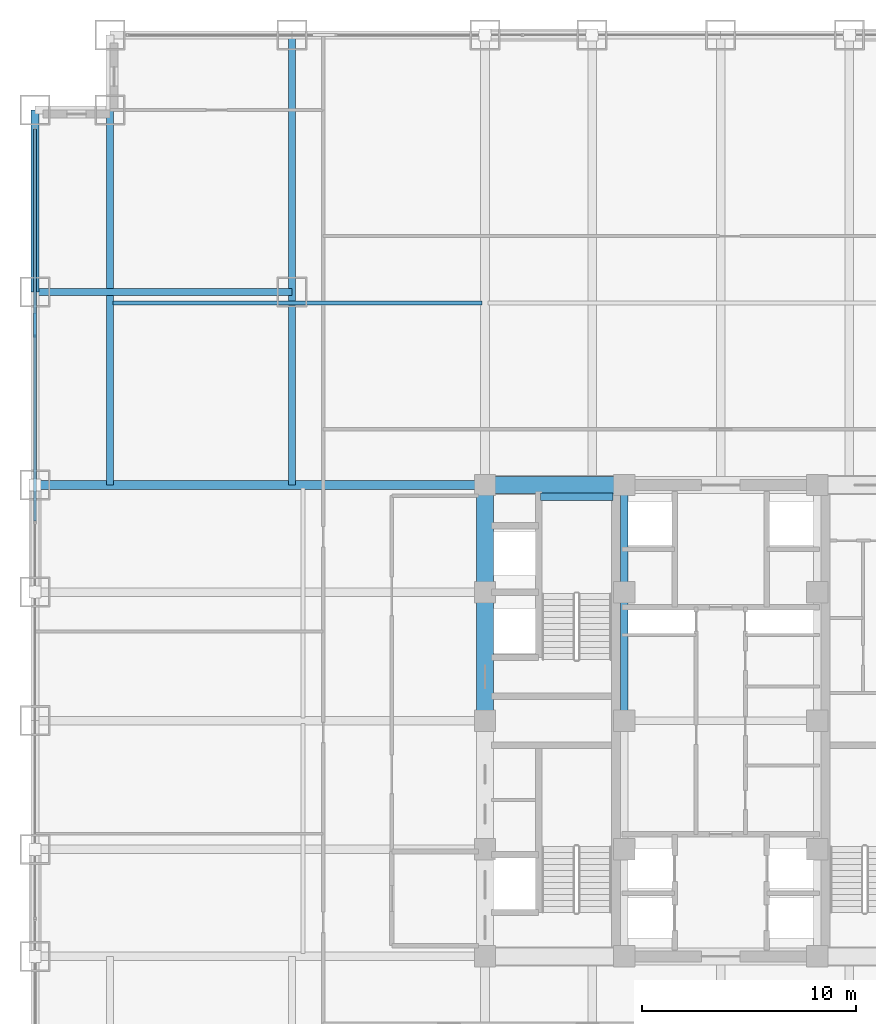
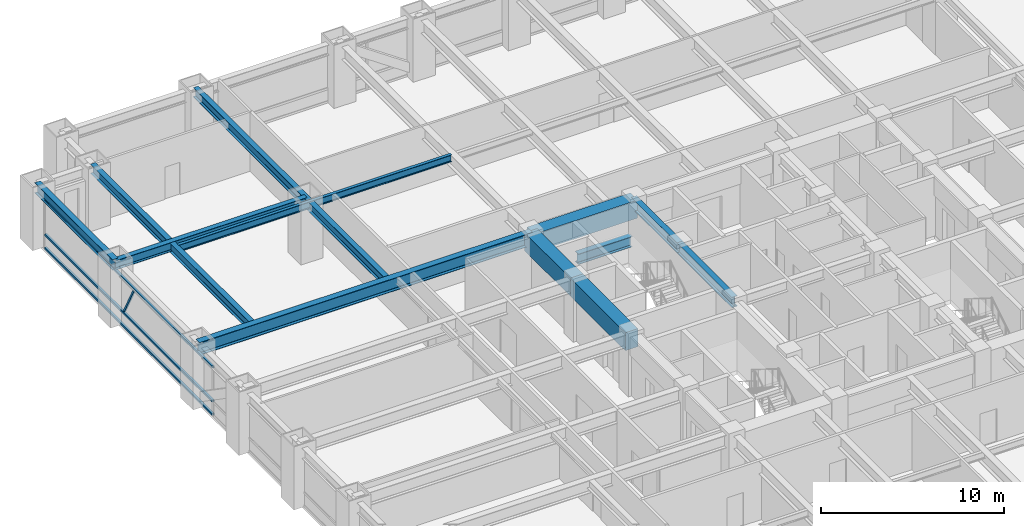
# One storey, part 13 of 27: 12 beams, 4 members, 1 element without a shape of its own.
"""IFC4 building model written with IfcOpenShell, lengths in metres."""

from ifc_helpers import new_model, si_unit, direction, frame, origin, origin_2d, place, context, subcontext, project, spatial, rectangle, hollow_rectangle, i_section, extrude, source, transform, mapped, material, material_profile, profile_set, type_object, element, aggregate, save


model = new_model("IFC4")

# Units and contexts
model_context = context("Model", 3, precision=1e-05, world=origin(), true_north=direction((0.0, 1.0)))
body_context = subcontext(model_context, "Body", "Model", "MODEL_VIEW")
ifc_project = project(units=[si_unit("LENGTHUNIT", "METRE"), si_unit("AREAUNIT", "SQUARE_METRE"), si_unit("VOLUMEUNIT", "CUBIC_METRE"), si_unit("PLANEANGLEUNIT", "RADIAN"), si_unit("MASSUNIT", "GRAM", prefix="KILO")], contexts=[model_context])

# Site, building, storey
site_placement = place(None, origin())
site = spatial("IfcSite", under=ifc_project, at=site_placement, CompositionType="ELEMENT")
building_placement = place(site_placement, origin())
building = spatial("IfcBuilding", under=site, at=building_placement, Name="Khorayat Bourse Tower", CompositionType="ELEMENT")
storey_placement = place(building_placement, frame((0.0, 0.0, 53.60009765625)))
storey = spatial("IfcBuildingStorey", under=building, at=storey_placement, Name="L11", CompositionType="ELEMENT", Elevation=53.60009765625)

# Beams
ifc_material_1 = material(Name="Concrete C72/90", Category="concrete")
ifc_material_profile_1 = material_profile(ifc_material_1, rectangle(XDim=0.800048828125, YDim=1.199951171875, at=origin_2d()), Name="RC 800x1200")
ifc_profile_set_1 = profile_set([ifc_material_profile_1], Name="Concrete C72/90")
beam_type_1 = type_object("IfcBeamType", Name="BM-COUP-1200", PredefinedType="BEAM", material=ifc_profile_set_1)
shared_shape_1 = source(origin(), body_context, "Body", "SweptSolid", [
    extrude(rectangle(XDim=0.800048828125, YDim=1.199951171875, at=origin_2d()), origin(), (0.0, 0.0, 1.0), 5.0),
])
beam_1_placement = place(storey_placement, frame((-11.0, 6.0, 3.33984375), z_axis=(0.0, 1.0, 0.0), x_axis=(-1.0, 0.0, 0.0)))
element("IfcBeam", 1, at=beam_1_placement, inside=storey, type_object=beam_type_1, Name="L11 BM-COUP-1200 BM-L11-CRX-04", PredefinedType="BEAM", context=body_context, shape_type="MappedRepresentation", body=[
    mapped(shared_shape_1, transform((0.0, 0.0, 0.0), scale=1.0)),
])
shared_shape_2 = source(origin(), body_context, "Body", "SweptSolid", [
    extrude(rectangle(XDim=0.800048828125, YDim=1.199951171875, at=origin_2d()), origin(), (0.0, 0.0, 1.0), 6.0),
])
beam_2_placement = place(storey_placement, frame((-11.0, 0.0, 3.33984375), z_axis=(0.0, 1.0, 0.0), x_axis=(-1.0, 0.0, 0.0)))
element("IfcBeam", 2, at=beam_2_placement, inside=storey, type_object=beam_type_1, Name="L11 BM-COUP-1200 BM-L11-CRX-03", PredefinedType="BEAM", context=body_context, shape_type="MappedRepresentation", body=[
    mapped(shared_shape_2, transform((0.0, 0.0, 0.0), scale=1.0)),
])
ifc_material_2 = material(Name="Steel ASTM A992 Grade 50", Category="steel")
ifc_material_profile_2 = material_profile(ifc_material_2, i_section(OverallWidth=0.35498046875, OverallDepth=0.695068359375, WebThickness=0.015380859375, FlangeThickness=0.02490234375, FilletRadius=0.01806640625, at=origin_2d()), Name="W690X217")
ifc_profile_set_2 = profile_set([ifc_material_profile_2], Name="Steel ASTM A992 Grade 50")
beam_type_2 = type_object("IfcBeamType", Name="BM-GIRD-690", PredefinedType="BEAM", material=ifc_profile_set_2)
shared_shape_3 = source(origin(), body_context, "Body", "SweptSolid", [
    extrude(i_section(OverallWidth=0.35498046875, OverallDepth=0.695068359375, WebThickness=0.015380859375, FlangeThickness=0.02490234375, FilletRadius=0.01806640625, at=origin_2d()), origin(), (0.0, 0.0, 1.0), 5.0),
])
beam_3_placement = place(storey_placement, frame((-4.5, 6.0, 3.59228515625), z_axis=(0.0, 1.0, 0.0), x_axis=(-1.0, 0.0, 0.0)))
element("IfcBeam", 3, at=beam_3_placement, inside=storey, type_object=beam_type_2, Name="L11 BM-GIRD-690 BM-L11-CRX-08", PredefinedType="BEAM", context=body_context, shape_type="MappedRepresentation", body=[
    mapped(shared_shape_3, transform((0.0, 0.0, 0.0), scale=1.0)),
])
shared_shape_4 = source(origin(), body_context, "Body", "SweptSolid", [
    extrude(i_section(OverallWidth=0.35498046875, OverallDepth=0.695068359375, WebThickness=0.015380859375, FlangeThickness=0.02490234375, FilletRadius=0.01806640625, at=origin_2d()), origin(), (0.0, 0.0, 1.0), 6.0),
])
beam_4_placement = place(storey_placement, frame((-4.5, 0.0, 3.59228515625), z_axis=(0.0, 1.0, 0.0), x_axis=(-1.0, 0.0, 0.0)))
element("IfcBeam", 4, at=beam_4_placement, inside=storey, type_object=beam_type_2, Name="L11 BM-GIRD-690 BM-L11-CRX-07", PredefinedType="BEAM", context=body_context, shape_type="MappedRepresentation", body=[
    mapped(shared_shape_4, transform((0.0, 0.0, 0.0), scale=1.0)),
])
shared_shape_5 = source(origin(), body_context, "Body", "SweptSolid", [
    extrude(rectangle(XDim=0.800048828125, YDim=1.199951171875, at=origin_2d()), origin(), (0.0, 0.0, 1.0), 6.5),
])
beam_5_placement = place(storey_placement, frame((-11.0, 11.0, 3.33984375), z_axis=(1.0, 0.0, 0.0), x_axis=(0.0, 1.0, 0.0)))
element("IfcBeam", 5, at=beam_5_placement, inside=storey, type_object=beam_type_1, Name="L11 BM-COUP-1200 BM-L11-CRY-20", PredefinedType="BEAM", context=body_context, shape_type="MappedRepresentation", body=[
    mapped(shared_shape_5, transform((0.0, 0.0, 0.0), scale=1.0)),
])
shared_shape_6 = source(origin(), body_context, "Body", "SweptSolid", [
    extrude(i_section(OverallWidth=0.35498046875, OverallDepth=0.695068359375, WebThickness=0.015380859375, FlangeThickness=0.02490234375, FilletRadius=0.01806640625, at=origin_2d()), origin(), (0.0, 0.0, 1.0), 3.39990234375),
])
beam_6_placement = place(storey_placement, frame((-8.419921875, 10.449951171875, 1.552490234375), z_axis=(1.0, 0.0, 0.0), x_axis=(0.0, 1.0, 0.0)))
element("IfcBeam", 6, at=beam_6_placement, inside=storey, type_object=beam_type_2, Name="L11 BM-GIRD-690 BM-L11-ST2L", PredefinedType="BEAM", context=body_context, shape_type="MappedRepresentation", body=[
    mapped(shared_shape_6, transform((0.0, 0.0, 0.0), scale=1.0)),
])
ifc_material_profile_3 = material_profile(ifc_material_2, i_section(OverallWidth=0.35498046875, OverallDepth=0.695068359375, WebThickness=0.015380859375, FlangeThickness=0.02490234375, FilletRadius=0.01806640625, at=origin_2d()), Name="W690X217")
ifc_profile_set_3 = profile_set([ifc_material_profile_3], Name="Steel ASTM A992 Grade 50")
beam_type_3 = type_object("IfcBeamType", Name="BM-SPAN-690", PredefinedType="SPANDREL", material=ifc_profile_set_3)
shared_shape_7 = source(origin(), body_context, "Body", "SweptSolid", [
    extrude(i_section(OverallWidth=0.35498046875, OverallDepth=0.695068359375, WebThickness=0.015380859375, FlangeThickness=0.02490234375, FilletRadius=0.01806640625, at=origin_2d()), origin(), (0.0, 0.0, 1.0), 8.5),
])
beam_7_placement = place(storey_placement, frame((-32.0, 20.0, 3.59228515625), z_axis=(0.0, 1.0, 0.0), x_axis=(-1.0, 0.0, 0.0)))
element("IfcBeam", 7, at=beam_7_placement, inside=storey, type_object=beam_type_3, Name="L11 BM-SPAN-690 BM-L11-SPN-054", PredefinedType="SPANDREL", context=body_context, shape_type="MappedRepresentation", body=[
    mapped(shared_shape_7, transform((0.0, 0.0, 0.0), scale=1.0)),
])
ifc_material_profile_4 = material_profile(ifc_material_2, i_section(OverallWidth=0.39990234375, OverallDepth=0.85498046875, WebThickness=0.018310546875, FlangeThickness=0.029296875, FilletRadius=0.02001953125, at=origin_2d()), Name="W840X299")
ifc_profile_set_4 = profile_set([ifc_material_profile_4], Name="Steel ASTM A992 Grade 50")
beam_type_4 = type_object("IfcBeamType", Name="BM-GIRD-840", PredefinedType="BEAM", material=ifc_profile_set_4)
shared_shape_8 = source(origin(), body_context, "Body", "SweptSolid", [
    extrude(i_section(OverallWidth=0.39990234375, OverallDepth=0.85498046875, WebThickness=0.018310546875, FlangeThickness=0.029296875, FilletRadius=0.02001953125, at=origin_2d()), origin(), (0.0, 0.0, 1.0), 21.0),
])
beam_8_placement = place(storey_placement, frame((-32.0, 11.0, 3.512451171875), z_axis=(1.0, 0.0, 0.0), x_axis=(0.0, 1.0, 0.0)))
element("IfcBeam", 8, at=beam_8_placement, inside=storey, type_object=beam_type_4, Name="L11 BM-GIRD-840 BM-L11-RADX-083", PredefinedType="BEAM", context=body_context, shape_type="MappedRepresentation", body=[
    mapped(shared_shape_8, transform((0.0, 0.0, 0.0), scale=1.0)),
])
ifc_material_profile_5 = material_profile(ifc_material_2, i_section(OverallWidth=0.324951171875, OverallDepth=0.615966796875, WebThickness=0.013916015625, FlangeThickness=0.021484375, FilletRadius=0.01611328125, at=origin_2d()), Name="W610X174")
ifc_profile_set_5 = profile_set([ifc_material_profile_5], Name="Steel ASTM A992 Grade 50")
beam_type_5 = type_object("IfcBeamType", Name="BM-GIRD-610", PredefinedType="BEAM", material=ifc_profile_set_5)
shared_shape_9 = source(origin(), body_context, "Body", "SweptSolid", [
    extrude(i_section(OverallWidth=0.324951171875, OverallDepth=0.615966796875, WebThickness=0.013916015625, FlangeThickness=0.021484375, FilletRadius=0.01611328125, at=origin_2d()), origin(), (0.0, 0.0, 1.0), 21.0),
])
beam_9_placement = place(storey_placement, frame((-20.0, 11.0, 3.6318359375), z_axis=(0.0, 1.0, 0.0), x_axis=(-1.0, 0.0, 0.0)))
element("IfcBeam", 9, at=beam_9_placement, inside=storey, type_object=beam_type_5, Name="L11 BM-GIRD-610 BM-L11-CNRY-085", PredefinedType="BEAM", context=body_context, shape_type="MappedRepresentation", body=[
    mapped(shared_shape_9, transform((0.0, 0.0, 0.0), scale=1.0)),
])
shared_shape_10 = source(origin(), body_context, "Body", "SweptSolid", [
    extrude(i_section(OverallWidth=0.324951171875, OverallDepth=0.615966796875, WebThickness=0.013916015625, FlangeThickness=0.021484375, FilletRadius=0.01611328125, at=origin_2d()), origin(), (0.0, 0.0, 1.0), 17.5),
])
beam_10_placement = place(storey_placement, frame((-28.5, 11.0, 3.6318359375), z_axis=(0.0, 1.0, 0.0), x_axis=(-1.0, 0.0, 0.0)))
element("IfcBeam", 10, at=beam_10_placement, inside=storey, type_object=beam_type_5, Name="L11 BM-GIRD-610 BM-L11-CNRY-089", PredefinedType="BEAM", context=body_context, shape_type="MappedRepresentation", body=[
    mapped(shared_shape_10, transform((0.0, 0.0, 0.0), scale=1.0)),
])
shared_shape_11 = source(origin(), body_context, "Body", "SweptSolid", [
    extrude(i_section(OverallWidth=0.324951171875, OverallDepth=0.615966796875, WebThickness=0.013916015625, FlangeThickness=0.021484375, FilletRadius=0.01611328125, at=origin_2d()), origin(), (0.0, 0.0, 1.0), 12.0),
])
beam_11_placement = place(storey_placement, frame((-32.0, 20.0, 3.6318359375), z_axis=(1.0, 0.0, 0.0), x_axis=(0.0, 1.0, 0.0)))
element("IfcBeam", 11, at=beam_11_placement, inside=storey, type_object=beam_type_5, Name="L11 BM-GIRD-610 BM-L11-CNRX-095", PredefinedType="BEAM", context=body_context, shape_type="MappedRepresentation", body=[
    mapped(shared_shape_11, transform((0.0, 0.0, 0.0), scale=1.0)),
])
ifc_material_profile_6 = material_profile(ifc_material_2, i_section(OverallWidth=0.194091796875, OverallDepth=0.468994140625, WebThickness=0.0126953125, FlangeThickness=0.0205078125, FilletRadius=0.012939453125, at=origin_2d()), Name="W460X106")
ifc_profile_set_6 = profile_set([ifc_material_profile_6], Name="Steel ASTM A992 Grade 50")
beam_type_6 = type_object("IfcBeamType", Name="BM-JOIST-460", PredefinedType="JOIST", material=ifc_profile_set_6)
shared_shape_12 = source(origin(), body_context, "Body", "SweptSolid", [
    extrude(i_section(OverallWidth=0.194091796875, OverallDepth=0.468994140625, WebThickness=0.0126953125, FlangeThickness=0.0205078125, FilletRadius=0.012939453125, at=origin_2d()), origin(), (0.0, 0.0, 1.0), 17.240234375),
])
beam_12_placement = place(storey_placement, frame((-28.3701171875, 19.5, 3.705322265625), z_axis=(1.0, 0.0, 0.0), x_axis=(0.0, 1.0, 0.0)))
element("IfcBeam", 12, at=beam_12_placement, inside=storey, type_object=beam_type_6, Name="L11 BM-JOIST-460 BM-L11-JSTX-099", PredefinedType="JOIST", context=body_context, shape_type="MappedRepresentation", body=[
    mapped(shared_shape_12, transform((0.0, 0.0, 0.0), scale=1.0)),
])

# Curtain wall, members
ifc_material_3 = material(Name="Aluminium EN AW-6063 T6", Category="aluminium")
curtain_wall_type = type_object("IfcCurtainWallType", Name="CW-SYS-02", PredefinedType="NOTDEFINED", material=ifc_material_3)
curtain_wall_placement = place(storey_placement, origin())
curtain_wall = element("IfcCurtainWall", 13, at=curtain_wall_placement, inside=storey, type_object=curtain_wall_type, Name="L11 Curtain Wall CW-L11-W1", PredefinedType="NOTDEFINED")
ifc_material_profile_7 = material_profile(ifc_material_3, hollow_rectangle(XDim=0.139892578125, YDim=0.139892578125, WallThickness=0.006103515625, at=origin_2d()), Name="ALU 140x140x6")
ifc_profile_set_7 = profile_set([ifc_material_profile_7], Name="Aluminium EN AW-6063 T6")
member_type_1 = type_object("IfcMemberType", Name="CWT-HORZ-140", PredefinedType="USERDEFINED", material=ifc_profile_set_7)
shared_shape_13 = source(origin(), body_context, "Body", "SweptSolid", [
    extrude(hollow_rectangle(XDim=0.139892578125, YDim=0.139892578125, WallThickness=0.006103515625, at=origin_2d()), origin(), (0.0, 0.0, 1.0), 18.2900390625),
])
member_1_placement = place(storey_placement, frame((-32.0, 9.320068359375, 0.06982421875), z_axis=(0.0, 1.0, 0.0), x_axis=(-1.0, 0.0, 0.0)))
member_1 = element("IfcMember", 14, at=member_1_placement, type_object=member_type_1, Name="CW-L11-W1 Horizontal Transom 3-1", ObjectType="TRANSOM", PredefinedType="USERDEFINED", context=body_context, shape_type="MappedRepresentation", body=[
    mapped(shared_shape_13, transform((0.0, 0.0, 0.0), scale=1.0)),
])
member_2_placement = place(storey_placement, frame((-32.0, 9.320068359375, 0.949951171875), z_axis=(0.0, 1.0, 0.0), x_axis=(-1.0, 0.0, 0.0)))
member_2 = element("IfcMember", 15, at=member_2_placement, type_object=member_type_1, Name="CW-L11-W1 Horizontal Transom 3-2", ObjectType="TRANSOM", PredefinedType="USERDEFINED", context=body_context, shape_type="MappedRepresentation", body=[
    mapped(shared_shape_13, transform((0.0, 0.0, 0.0), scale=1.0)),
])
member_3_placement = place(storey_placement, frame((-32.0, 9.320068359375, 3.219970703125), z_axis=(0.0, 1.0, 0.0), x_axis=(-1.0, 0.0, 0.0)))
member_3 = element("IfcMember", 16, at=member_3_placement, type_object=member_type_1, Name="CW-L11-W1 Horizontal Transom 3-3", ObjectType="TRANSOM", PredefinedType="USERDEFINED", context=body_context, shape_type="MappedRepresentation", body=[
    mapped(shared_shape_13, transform((0.0, 0.0, 0.0), scale=1.0)),
])
ifc_material_profile_8 = material_profile(ifc_material_3, hollow_rectangle(XDim=0.1201171875, YDim=0.1201171875, WallThickness=0.0048828125, at=origin_2d()), Name="ALU 120x120x5")
ifc_profile_set_8 = profile_set([ifc_material_profile_8], Name="Aluminium EN AW-6063 T6")
member_type_2 = type_object("IfcMemberType", Name="CWM-DIAG-120", PredefinedType="MULLION", material=ifc_profile_set_8)
shared_shape_14 = source(origin(), body_context, "Body", "SweptSolid", [
    extrude(hollow_rectangle(XDim=0.1201171875, YDim=0.1201171875, WallThickness=0.0048828125, at=origin_2d()), origin(), (0.0, 0.0, 1.0), 2.22607421875),
])
member_4_placement = place(storey_placement, frame((-32.0, 18.9833984375, 1.099853515625), z_axis=(0.0, -0.465759992596, 0.884911085532), x_axis=(1.0, 0.0, 0.0)))
member_4 = element("IfcMember", 17, at=member_4_placement, type_object=member_type_2, Name="CW-L11-W1 Faceted Diagonal Mullion 3", PredefinedType="MULLION", context=body_context, shape_type="MappedRepresentation", body=[
    mapped(shared_shape_14, transform((0.0, 0.0, 0.0), scale=1.0)),
])
aggregate(curtain_wall, [member_1, member_2, member_3, member_4])

save(model, "model.ifc")
